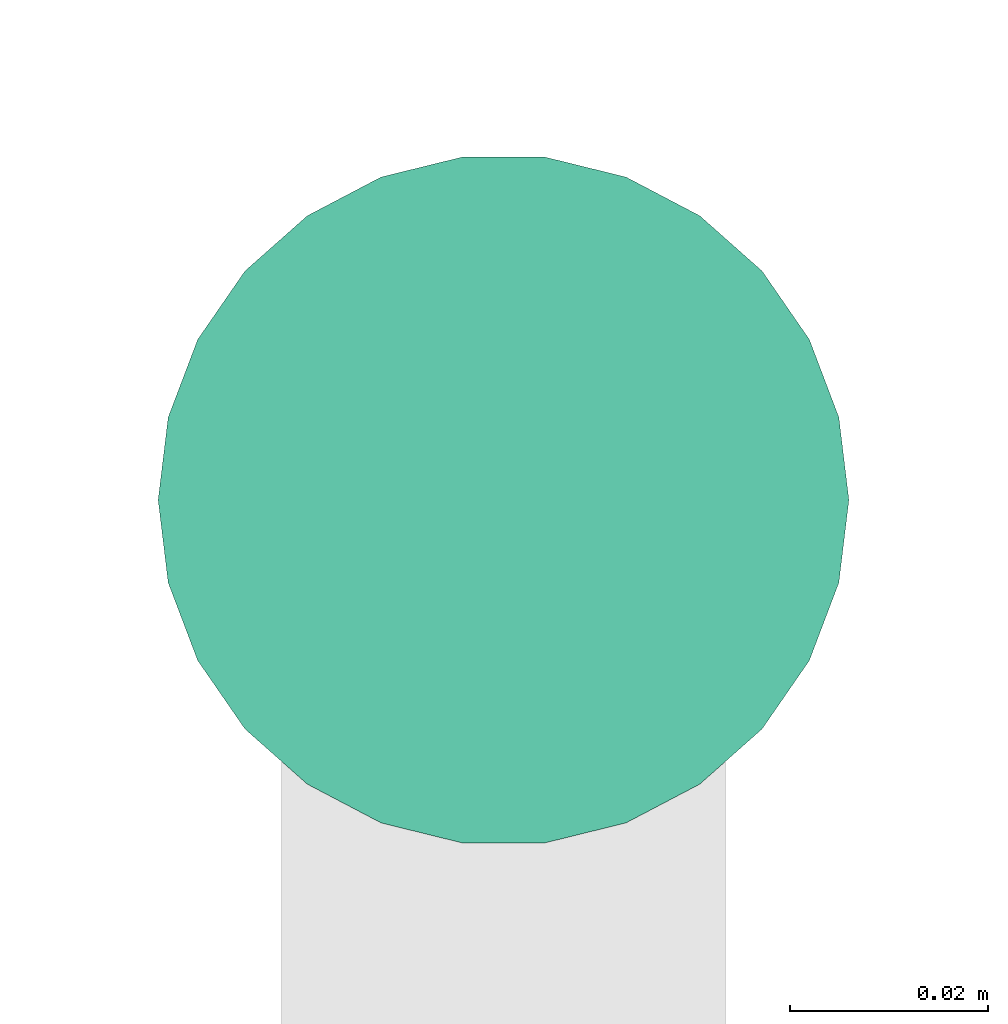
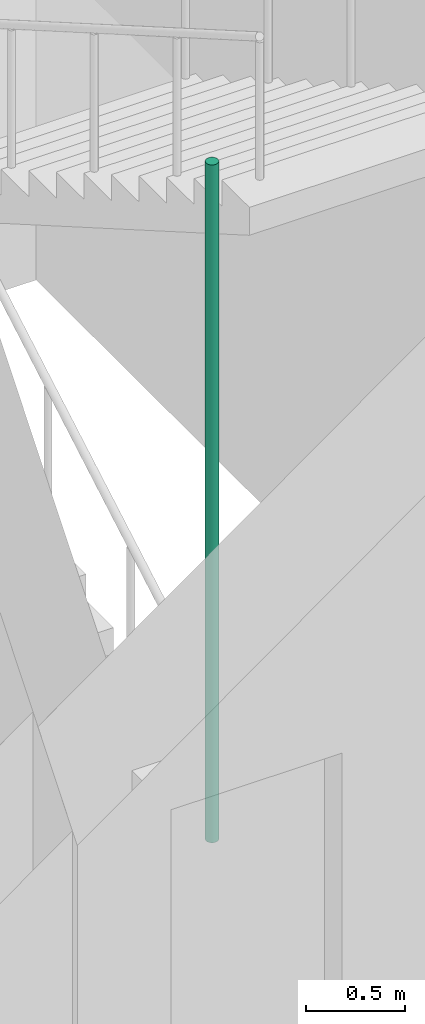
# One storey, part 25 of 28: 1 pipe segment.
"""IFC4 building model written with IfcOpenShell, lengths in metres."""

from ifc_helpers import new_model, si_unit, direction, frame, origin, origin_2d, place, context, subcontext, project, spatial, circle, extrude, element, save


model = new_model("IFC4")

# Units and contexts
model_context = context("Model", 3, precision=1e-05, world=origin(), true_north=direction((0.0, 1.0)))
body_context = subcontext(model_context, "Body", "Model", "MODEL_VIEW")
ifc_project = project(units=[si_unit("LENGTHUNIT", "METRE"), si_unit("AREAUNIT", "SQUARE_METRE"), si_unit("VOLUMEUNIT", "CUBIC_METRE"), si_unit("PLANEANGLEUNIT", "RADIAN"), si_unit("MASSUNIT", "GRAM", prefix="KILO")], contexts=[model_context])

# Site, building, storey
site_placement = place(None, origin())
site = spatial("IfcSite", under=ifc_project, at=site_placement, CompositionType="ELEMENT")
building_placement = place(site_placement, origin())
building = spatial("IfcBuilding", under=site, at=building_placement, Name="Nzadi Deep Aquarium and Research Tower", CompositionType="ELEMENT")
storey_placement = place(building_placement, frame((0.0, 0.0, 73.89990234375)))
storey = spatial("IfcBuildingStorey", under=building, at=storey_placement, Name="L15", CompositionType="ELEMENT", Elevation=73.89990234375)

# Pipe segment
pipe_segment_placement = place(storey_placement, frame((25.10009765625, 13.719970703125, 0.0), z_axis=(0.0, 0.0, 1.0), x_axis=(1.0, 0.0, 0.0)))
element("IfcPipeSegment", 1, at=pipe_segment_placement, inside=storey, Name="Dry riser ST-Z1-SE L15", PredefinedType="RIGIDSEGMENT", context=body_context, shape_type="SweptSolid", body=[
    extrude(circle(Radius=0.034912109375, at=origin_2d()), origin(), (0.0, 0.0, 1.0), 4.2001953125),
])

save(model, "model.ifc")
